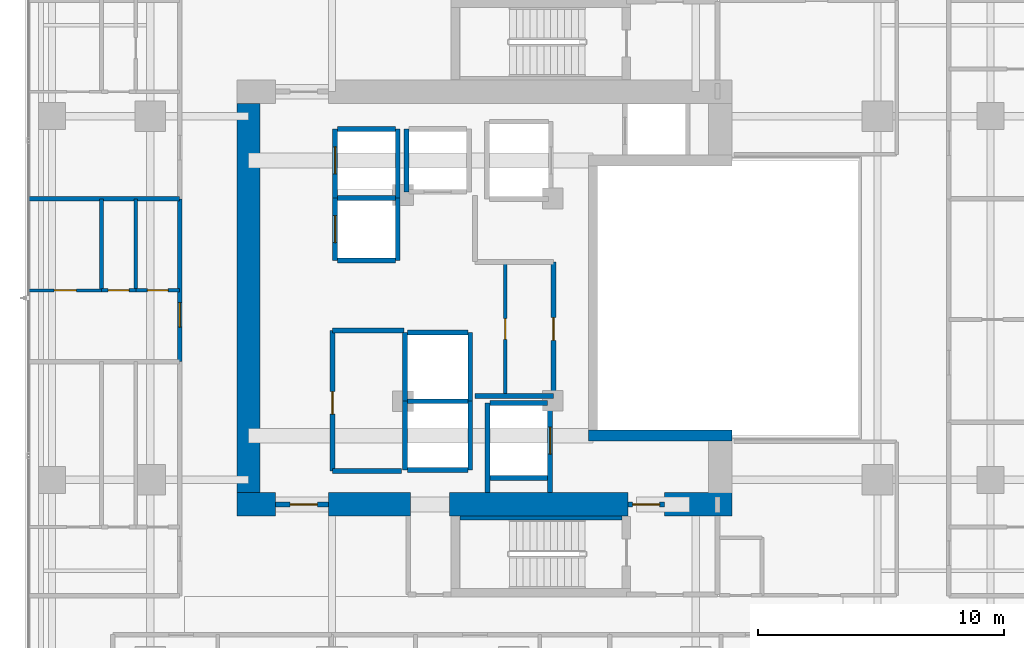
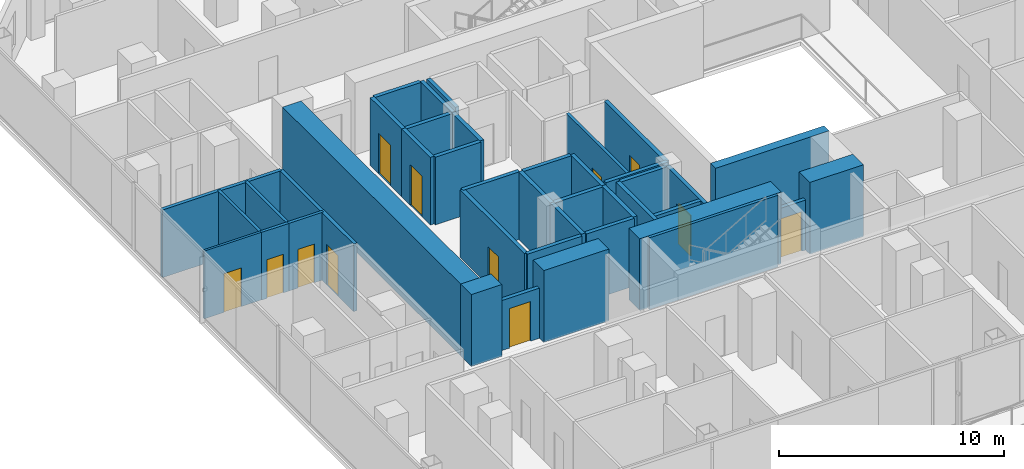
# One storey, part 19 of 29: 41 walls, 12 doors, 12 openings.
"""IFC4 building model written with IfcOpenShell, lengths in metres."""

from ifc_helpers import new_model, si_unit, direction, frame, frame_2d, origin, place, context, subcontext, project, spatial, rectangle, extrude, material, layer, layer_set, type_object, element, fill, save


model = new_model("IFC4")

# Units and contexts
model_context = context("Model", 3, precision=1e-05, world=origin(), true_north=direction((0.0, 1.0)))
body_context = subcontext(model_context, "Body", "Model", "MODEL_VIEW")
ifc_project = project(units=[si_unit("LENGTHUNIT", "METRE"), si_unit("AREAUNIT", "SQUARE_METRE"), si_unit("VOLUMEUNIT", "CUBIC_METRE"), si_unit("PLANEANGLEUNIT", "RADIAN"), si_unit("MASSUNIT", "GRAM", prefix="KILO")], contexts=[model_context])

# Site, building, storey
site_placement = place(None, origin())
site = spatial("IfcSite", under=ifc_project, at=site_placement, CompositionType="ELEMENT")
building_placement = place(site_placement, origin())
building = spatial("IfcBuilding", under=site, at=building_placement, Name="Khorvyn Point Tower", CompositionType="ELEMENT")
storey_placement = place(building_placement, frame((0.0, 0.0, 144.60009765625)))
storey = spatial("IfcBuildingStorey", under=building, at=storey_placement, Name="L36", CompositionType="ELEMENT", Elevation=144.60009765625)

# Wall, opening, door
ifc_material_1 = material(Name="Double acoustic gypsum on twin steel stud", Category="steel")
ifc_layer_1 = layer(ifc_material_1, 0.179931640625)
ifc_layer_set_1 = layer_set([ifc_layer_1], Name="Acoustic Double-Stud Apartment Demising Wall 180")
wall_type_1 = type_object("IfcWallType", Name="Acoustic Double-Stud Apartment Demising Wall 180", PredefinedType="PARTITIONING", material=ifc_layer_set_1)
wall_1_placement = place(storey_placement, frame((-13.60009765625, -2.5859375, 0.0), z_axis=(0.0, 0.0, 1.0), x_axis=(0.0, 1.0, 0.0)))
wall_1 = element("IfcWall", 1, at=wall_1_placement, inside=storey, type_object=wall_type_1, Name="Wall", PredefinedType="PARTITIONING", context=body_context, shape_type="SweptSolid", body=[
    extrude(rectangle(XDim=6.6259765625, YDim=0.179931640625, at=frame_2d((3.31298828125, 0.0))), origin(), (0.0, 0.0, 1.0), 3.679931640625),
])
opening_1_placement = place(wall_1_placement, frame((1.398193359375, 0.0, 0.0)))
opening_1 = element("IfcOpeningElement", 2, at=opening_1_placement, cuts=wall_1, Name="Opening ID-AP60", PredefinedType="OPENING", context=body_context, shape_type="SweptSolid", body=[
    extrude(rectangle(XDim=1.0, YDim=2.199951171875, at=frame_2d((0.5, 1.10009765625))), frame((0.0, 0.099853515625, 0.0), z_axis=(0.0, -1.0, 0.0), x_axis=(1.0, 0.0, 0.0)), (0.0, 0.0, 1.0), 0.199951171875),
])
ifc_material_2 = material(Name="Engineered hardwood fire-rated leaf", Category="wood")
door_type_1 = type_object("IfcDoorType", Name="Acoustic Solid-Core Timber Apartment Entrance Door 1000x2200", OperationType="NOTDEFINED", PredefinedType="DOOR", material=ifc_material_2)
door_1_placement = place(opening_1_placement, origin())
door_1 = element("IfcDoor", 3, at=door_1_placement, inside=storey, type_object=door_type_1, Name="Door", OperationType="SINGLE_SWING_LEFT", OverallHeight=2.199951171875, OverallWidth=1.0, PredefinedType="DOOR", context=body_context, shape_type="SweptSolid", body=[
    extrude(rectangle(XDim=1.0, YDim=2.199951171875, at=frame_2d((0.5, 1.10009765625))), frame((0.0, 0.02490234375, 0.0), z_axis=(0.0, -1.0, 0.0), x_axis=(1.0, 0.0, 0.0)), (0.0, 0.0, 1.0), 0.050048828125),
])
fill(opening_1, door_1)

# Walls
wall_2_placement = place(storey_placement, frame((-19.72998046875, 4.0400390625, 0.0), z_axis=(0.0, 0.0, 1.0), x_axis=(1.0, 0.0, 0.0)))
element("IfcWall", 4, at=wall_2_placement, inside=storey, type_object=wall_type_1, Name="Wall", PredefinedType="PARTITIONING", context=body_context, shape_type="SweptSolid", body=[
    extrude(rectangle(XDim=6.1298828125, YDim=0.179931640625, at=frame_2d((3.06494140625, 0.0))), origin(), (0.0, 0.0, 1.0), 3.679931640625),
])
ifc_material_3 = material(Name="Concrete C40/50", Category="concrete")
ifc_layer_2 = layer(ifc_material_3, 0.449951171875)
ifc_layer_set_2 = layer_set([ifc_layer_2], Name="Concrete C40/50 Core Shear Wall 450")
wall_type_2 = type_object("IfcWallType", Name="Concrete C40/50 Core Shear Wall 450", PredefinedType="SHEAR", material=ifc_layer_set_2)
wall_3_placement = place(storey_placement, frame((3.044921875, -5.60009765625, 0.0), z_axis=(0.0, 0.0, 1.0), x_axis=(1.0, 0.0, 0.0)))
element("IfcWall", 5, at=wall_3_placement, inside=storey, type_object=wall_type_2, Name="Wall", PredefinedType="SHEAR", context=body_context, shape_type="SweptSolid", body=[
    extrude(rectangle(XDim=5.830078125, YDim=0.449951171875, at=frame_2d((2.9150390625, 0.0))), origin(), (0.0, 0.0, 1.0), 3.89990234375),
])

# Wall, opening, door
ifc_layer_3 = layer(ifc_material_3, 0.199951171875)
ifc_layer_set_3 = layer_set([ifc_layer_3], Name="Concrete C40/50 Fire-Lobby Compartment Wall 200")
wall_type_3 = type_object("IfcWallType", Name="Concrete C40/50 Fire-Lobby Compartment Wall 200", PredefinedType="SOLIDWALL", material=ifc_layer_set_3)
wall_4_placement = place(storey_placement, frame((4.64990234375, -8.39990234375, 0.0), z_axis=(0.0, 0.0, 1.0), x_axis=(1.0, 0.0, 0.0)))
wall_4 = element("IfcWall", 6, at=wall_4_placement, inside=storey, type_object=wall_type_3, Name="Wall", PredefinedType="SOLIDWALL", context=body_context, shape_type="SweptSolid", body=[
    extrude(rectangle(XDim=1.47021484375, YDim=0.199951171875, at=frame_2d((0.735107421875, 0.0))), origin(), (0.0, 0.0, 1.0), 2.719970703125),
])
opening_2_placement = place(wall_4_placement, frame((0.18505859375, 0.0, 0.0)))
opening_2 = element("IfcOpeningElement", 7, at=opening_2_placement, cuts=wall_4, Name="Opening ID-FL90", PredefinedType="OPENING", context=body_context, shape_type="SweptSolid", body=[
    extrude(rectangle(XDim=1.10009765625, YDim=2.14990234375, at=frame_2d((0.550048828125, 1.074951171875))), frame((0.0, 0.10986328125, 0.0), z_axis=(0.0, -1.0, 0.0), x_axis=(1.0, 0.0, 0.0)), (0.0, 0.0, 1.0), 0.219970703125),
])
ifc_material_4 = material(Name="Galvanised powder-coated steel", Category="steel")
door_type_2 = type_object("IfcDoorType", Name="Fire-Rated Steel Lobby and Stair Door 1100x2150", OperationType="NOTDEFINED", PredefinedType="DOOR", material=ifc_material_4)
door_2_placement = place(opening_2_placement, origin())
door_2 = element("IfcDoor", 8, at=door_2_placement, inside=storey, type_object=door_type_2, Name="Door", OperationType="SINGLE_SWING_LEFT", OverallHeight=2.14990234375, OverallWidth=1.10009765625, PredefinedType="DOOR", context=body_context, shape_type="SweptSolid", body=[
    extrude(rectangle(XDim=1.10009765625, YDim=2.14990234375, at=frame_2d((0.550048828125, 1.074951171875))), frame((0.0, 0.02490234375, 0.0), z_axis=(0.0, -1.0, 0.0), x_axis=(1.0, 0.0, 0.0)), (0.0, 0.0, 1.0), 0.050048828125),
])
fill(opening_2, door_2)

wall_5_placement = place(storey_placement, frame((-9.699951171875, -8.39990234375, 0.0), z_axis=(0.0, 0.0, 1.0), x_axis=(1.0, 0.0, 0.0)))
wall_5 = element("IfcWall", 9, at=wall_5_placement, inside=storey, type_object=wall_type_3, Name="Wall", PredefinedType="SOLIDWALL", context=body_context, shape_type="SweptSolid", body=[
    extrude(rectangle(XDim=2.14990234375, YDim=0.199951171875, at=frame_2d((1.074951171875, 0.0))), origin(), (0.0, 0.0, 1.0), 2.719970703125),
])
opening_3_placement = place(wall_5_placement, frame((0.597900390625, 0.0, 0.0)))
opening_3 = element("IfcOpeningElement", 10, at=opening_3_placement, cuts=wall_5, Name="Opening ID-FL90", PredefinedType="OPENING", context=body_context, shape_type="SweptSolid", body=[
    extrude(rectangle(XDim=1.10009765625, YDim=2.14990234375, at=frame_2d((0.550048828125, 1.074951171875))), frame((0.0, 0.10986328125, 0.0), z_axis=(0.0, -1.0, 0.0), x_axis=(1.0, 0.0, 0.0)), (0.0, 0.0, 1.0), 0.219970703125),
])
door_3_placement = place(opening_3_placement, origin())
door_3 = element("IfcDoor", 11, at=door_3_placement, inside=storey, type_object=door_type_2, Name="Door", OperationType="SINGLE_SWING_LEFT", OverallHeight=2.14990234375, OverallWidth=1.10009765625, PredefinedType="DOOR", context=body_context, shape_type="SweptSolid", body=[
    extrude(rectangle(XDim=1.10009765625, YDim=2.14990234375, at=frame_2d((0.550048828125, 1.074951171875))), frame((0.0, 0.02490234375, 0.0), z_axis=(0.0, -1.0, 0.0), x_axis=(1.0, 0.0, 0.0)), (0.0, 0.0, 1.0), 0.050048828125),
])
fill(opening_3, door_3)

wall_6_placement = place(storey_placement, frame((1.610107421875, -3.97998046875, 0.0), z_axis=(0.0, 0.0, 1.0), x_axis=(0.0, 1.0, 0.0)))
wall_6 = element("IfcWall", 12, at=wall_6_placement, inside=storey, type_object=wall_type_3, Name="Wall", PredefinedType="SOLIDWALL", context=body_context, shape_type="SweptSolid", body=[
    extrude(rectangle(XDim=5.43994140625, YDim=0.199951171875, at=frame_2d((2.719970703125, 0.0))), origin(), (0.0, 0.0, 1.0), 3.679931640625),
])
opening_4_placement = place(wall_6_placement, frame((2.260009765625, 0.0, 0.0)))
opening_4 = element("IfcOpeningElement", 13, at=opening_4_placement, cuts=wall_6, Name="Opening ID-RS60", PredefinedType="OPENING", context=body_context, shape_type="SweptSolid", body=[
    extrude(rectangle(XDim=0.919921875, YDim=2.10009765625, at=frame_2d((0.4599609375, 1.050048828125))), frame((0.0, 0.10986328125, 0.0), z_axis=(0.0, -1.0, 0.0), x_axis=(1.0, 0.0, 0.0)), (0.0, 0.0, 1.0), 0.219970703125),
])
door_type_3 = type_object("IfcDoorType", Name="Fire-Rated Riser and Store Steel Door 920x2100", OperationType="NOTDEFINED", PredefinedType="DOOR", material=ifc_material_4)
door_4_placement = place(opening_4_placement, origin())
door_4 = element("IfcDoor", 14, at=door_4_placement, inside=storey, type_object=door_type_3, Name="Door", OperationType="SINGLE_SWING_LEFT", OverallHeight=2.10009765625, OverallWidth=0.919921875, PredefinedType="DOOR", context=body_context, shape_type="SweptSolid", body=[
    extrude(rectangle(XDim=0.919921875, YDim=2.10009765625, at=frame_2d((0.4599609375, 1.050048828125))), frame((0.0, 0.02490234375, 0.0), z_axis=(0.0, -1.0, 0.0), x_axis=(1.0, 0.0, 0.0)), (0.0, 0.0, 1.0), 0.050048828125),
])
fill(opening_4, door_4)

wall_7_placement = place(storey_placement, frame((-7.3798828125, -7.0400390625, 0.0), z_axis=(0.0, 0.0, 1.0), x_axis=(0.0, 1.0, 0.0)))
wall_7 = element("IfcWall", 15, at=wall_7_placement, inside=storey, type_object=wall_type_3, Name="Wall", PredefinedType="SOLIDWALL", context=body_context, shape_type="SweptSolid", body=[
    extrude(rectangle(XDim=5.719970703125, YDim=0.199951171875, at=frame_2d((2.85986328125, 0.0))), origin(), (0.0, 0.0, 1.0), 3.679931640625),
])
opening_5_placement = place(wall_7_placement, frame((2.310302734375, 0.0, 0.0)))
opening_5 = element("IfcOpeningElement", 16, at=opening_5_placement, cuts=wall_7, Name="Opening ID-RS60", PredefinedType="OPENING", context=body_context, shape_type="SweptSolid", body=[
    extrude(rectangle(XDim=0.919921875, YDim=2.10009765625, at=frame_2d((0.4599609375, 1.050048828125))), frame((0.0, 0.10986328125, 0.0), z_axis=(0.0, -1.0, 0.0), x_axis=(1.0, 0.0, 0.0)), (0.0, 0.0, 1.0), 0.219970703125),
])
door_5_placement = place(opening_5_placement, origin())
door_5 = element("IfcDoor", 17, at=door_5_placement, inside=storey, type_object=door_type_3, Name="Door", OperationType="SINGLE_SWING_RIGHT", OverallHeight=2.10009765625, OverallWidth=0.919921875, PredefinedType="DOOR", context=body_context, shape_type="SweptSolid", body=[
    extrude(rectangle(XDim=0.919921875, YDim=2.10009765625, at=frame_2d((0.4599609375, 1.050048828125))), frame((0.0, 0.02490234375, 0.0), z_axis=(0.0, -1.0, 0.0), x_axis=(1.0, 0.0, 0.0)), (0.0, 0.0, 1.0), 0.050048828125),
])
fill(opening_5, door_5)

# Walls
wall_8_placement = place(storey_placement, frame((-7.3798828125, -1.320068359375, 0.0), z_axis=(0.0, 0.0, 1.0), x_axis=(1.0, 0.0, 0.0)))
element("IfcWall", 18, at=wall_8_placement, inside=storey, type_object=wall_type_3, Name="Wall", PredefinedType="SOLIDWALL", context=body_context, shape_type="SweptSolid", body=[
    extrude(rectangle(XDim=2.909912109375, YDim=0.199951171875, at=frame_2d((1.455078125, 0.0))), origin(), (0.0, 0.0, 1.0), 3.679931640625),
])
wall_9_placement = place(storey_placement, frame((-1.580078125, -3.97998046875, 0.0), z_axis=(0.0, 0.0, 1.0), x_axis=(1.0, 0.0, 0.0)))
element("IfcWall", 19, at=wall_9_placement, inside=storey, type_object=wall_type_3, Name="Wall", PredefinedType="SOLIDWALL", context=body_context, shape_type="SweptSolid", body=[
    extrude(rectangle(XDim=3.190185546875, YDim=0.199951171875, at=frame_2d((1.59521484375, 0.0))), origin(), (0.0, 0.0, 1.0), 3.679931640625),
])
wall_10_placement = place(storey_placement, frame((-7.3798828125, -7.0400390625, 0.0), z_axis=(0.0, 0.0, 1.0), x_axis=(1.0, 0.0, 0.0)))
element("IfcWall", 20, at=wall_10_placement, inside=storey, type_object=wall_type_3, Name="Wall", PredefinedType="SOLIDWALL", context=body_context, shape_type="SweptSolid", body=[
    extrude(rectangle(XDim=2.7998046875, YDim=0.199951171875, at=frame_2d((1.39990234375, 0.0))), origin(), (0.0, 0.0, 1.0), 3.679931640625),
])
ifc_layer_4 = layer(ifc_material_3, 0.25)
ifc_layer_set_4 = layer_set([ifc_layer_4], Name="Concrete C40/50 Stair Inner Cheek Structural Wall 250")
wall_type_4 = type_object("IfcWallType", Name="Concrete C40/50 Stair Inner Cheek Structural Wall 250", PredefinedType="SHEAR", material=ifc_layer_set_4)
wall_11_placement = place(storey_placement, frame((-2.199951171875, -8.949951171875, 0.0), z_axis=(0.0, 0.0, 1.0), x_axis=(1.0, 0.0, 0.0)))
element("IfcWall", 21, at=wall_11_placement, inside=storey, type_object=wall_type_4, Name="Wall", PredefinedType="SHEAR", context=body_context, shape_type="SweptSolid", body=[
    extrude(rectangle(XDim=6.599853515625, YDim=0.14990234375, at=frame_2d((3.2998046875, 0.0))), origin(), (0.0, 0.0, 1.0), 3.89990234375),
])

# Wall, opening, door
ifc_layer_5 = layer(ifc_material_3, 0.199951171875)
ifc_layer_set_5 = layer_set([ifc_layer_5], Name="Concrete C40/50 Structural Hoistway and Stair Shaft Wall 200")
wall_type_5 = type_object("IfcWallType", Name="Concrete C40/50 Structural Hoistway and Stair Shaft Wall 200", PredefinedType="SHEAR", material=ifc_layer_set_5)
wall_12_placement = place(storey_placement, frame((-7.27490234375, 1.52490234375, 0.0), z_axis=(0.0, 0.0, 1.0), x_axis=(0.0, 1.0, 0.0)))
wall_12 = element("IfcWall", 22, at=wall_12_placement, inside=storey, type_object=wall_type_5, Name="Wall", PredefinedType="SHEAR", context=body_context, shape_type="SweptSolid", body=[
    extrude(rectangle(XDim=2.550048828125, YDim=0.199951171875, at=frame_2d((1.27490234375, 0.0))), origin(), (0.0, 0.0, 1.0), 3.679931640625),
])
opening_6_placement = place(wall_12_placement, frame((0.72509765625, 0.0, 0.0)))
opening_6 = element("IfcOpeningElement", 23, at=opening_6_placement, cuts=wall_12, Name="Opening LD-1122", PredefinedType="OPENING", context=body_context, shape_type="SweptSolid", body=[
    extrude(rectangle(XDim=1.10009765625, YDim=2.199951171875, at=frame_2d((0.550048828125, 1.10009765625))), frame((0.0, 0.10986328125, 0.0), z_axis=(0.0, -1.0, 0.0), x_axis=(1.0, 0.0, 0.0)), (0.0, 0.0, 1.0), 0.219970703125),
])
ifc_material_5 = material(Name="Stainless steel 1.4301", Category="steel")
door_type_4 = type_object("IfcDoorType", Name="Stainless Steel Automatic Sliding Lift Landing Door 1100x2200", OperationType="SLIDING_TO_LEFT", PredefinedType="DOOR", material=ifc_material_5)
door_6_placement = place(opening_6_placement, origin())
door_6 = element("IfcDoor", 24, at=door_6_placement, inside=storey, type_object=door_type_4, Name="L36 RM-01 Sliding Lift Landing Door", OperationType="SLIDING_TO_LEFT", OverallHeight=2.199951171875, OverallWidth=1.10009765625, PredefinedType="DOOR", context=body_context, shape_type="SweptSolid", body=[
    extrude(rectangle(XDim=1.10009765625, YDim=2.199951171875, at=frame_2d((0.550048828125, 1.10009765625))), frame((0.0, 0.02490234375, 0.0), z_axis=(0.0, -1.0, 0.0), x_axis=(1.0, 0.0, 0.0)), (0.0, 0.0, 1.0), 0.050048828125),
])
fill(opening_6, door_6)

# Walls
wall_13_placement = place(storey_placement, frame((-4.72509765625, 1.52490234375, 0.0), z_axis=(0.0, 0.0, 1.0), x_axis=(0.0, 1.0, 0.0)))
element("IfcWall", 25, at=wall_13_placement, inside=storey, type_object=wall_type_5, Name="Wall", PredefinedType="SHEAR", context=body_context, shape_type="SweptSolid", body=[
    extrude(rectangle(XDim=2.550048828125, YDim=0.199951171875, at=frame_2d((1.27490234375, 0.0))), origin(), (0.0, 0.0, 1.0), 3.679931640625),
])
for number, where, z_axis, x_axis, name in (
    (26, (-7.175048828125, 1.52490234375, 0.0), (0.0, 0.0, 1.0), (1.0, 0.0, 0.0), "Wall"),
    (27, (-7.175048828125, 4.074951171875, 0.0), (0.0, 0.0, 1.0), (1.0, 0.0, 0.0), "Wall"),
):
    element("IfcWall", number, at=place(storey_placement, frame(where, z_axis=z_axis, x_axis=x_axis)), inside=storey, type_object=wall_type_5, Name=name, PredefinedType="SHEAR", context=body_context, shape_type="SweptSolid", body=[
        extrude(rectangle(XDim=2.35009765625, YDim=0.199951171875, at=frame_2d((1.175048828125, 0.0))), origin(), (0.0, 0.0, 1.0), 3.679931640625),
    ])

# Wall, opening, door
wall_14_placement = place(storey_placement, frame((-7.27490234375, 4.074951171875, 0.0), z_axis=(0.0, 0.0, 1.0), x_axis=(0.0, 1.0, 0.0)))
wall_14 = element("IfcWall", 28, at=wall_14_placement, inside=storey, type_object=wall_type_5, Name="Wall", PredefinedType="SHEAR", context=body_context, shape_type="SweptSolid", body=[
    extrude(rectangle(XDim=2.800048828125, YDim=0.199951171875, at=frame_2d((1.39990234375, 0.0))), origin(), (0.0, 0.0, 1.0), 3.679931640625),
])
opening_7_placement = place(wall_14_placement, frame((0.97509765625, 0.0, 0.0)))
opening_7 = element("IfcOpeningElement", 29, at=opening_7_placement, cuts=wall_14, Name="Opening LD-1122", PredefinedType="OPENING", context=body_context, shape_type="SweptSolid", body=[
    extrude(rectangle(XDim=1.10009765625, YDim=2.199951171875, at=frame_2d((0.550048828125, 1.10009765625))), frame((0.0, 0.10986328125, 0.0), z_axis=(0.0, -1.0, 0.0), x_axis=(1.0, 0.0, 0.0)), (0.0, 0.0, 1.0), 0.219970703125),
])
door_7_placement = place(opening_7_placement, origin())
door_7 = element("IfcDoor", 30, at=door_7_placement, inside=storey, type_object=door_type_4, Name="L36 RM-02 Sliding Lift Landing Door", OperationType="SLIDING_TO_LEFT", OverallHeight=2.199951171875, OverallWidth=1.10009765625, PredefinedType="DOOR", context=body_context, shape_type="SweptSolid", body=[
    extrude(rectangle(XDim=1.10009765625, YDim=2.199951171875, at=frame_2d((0.550048828125, 1.10009765625))), frame((0.0, 0.02490234375, 0.0), z_axis=(0.0, -1.0, 0.0), x_axis=(1.0, 0.0, 0.0)), (0.0, 0.0, 1.0), 0.050048828125),
])
fill(opening_7, door_7)

# Walls
wall_15_placement = place(storey_placement, frame((-4.72509765625, 4.074951171875, 0.0), z_axis=(0.0, 0.0, 1.0), x_axis=(0.0, 1.0, 0.0)))
element("IfcWall", 31, at=wall_15_placement, inside=storey, type_object=wall_type_5, Name="Wall", PredefinedType="SHEAR", context=body_context, shape_type="SweptSolid", body=[
    extrude(rectangle(XDim=2.800048828125, YDim=0.199951171875, at=frame_2d((1.39990234375, 0.0))), origin(), (0.0, 0.0, 1.0), 3.679931640625),
])
wall_16_placement = place(storey_placement, frame((-7.175048828125, 6.875, 0.0), z_axis=(0.0, 0.0, 1.0), x_axis=(1.0, 0.0, 0.0)))
element("IfcWall", 32, at=wall_16_placement, inside=storey, type_object=wall_type_5, Name="Wall", PredefinedType="SHEAR", context=body_context, shape_type="SweptSolid", body=[
    extrude(rectangle(XDim=2.35009765625, YDim=0.199951171875, at=frame_2d((1.175048828125, 0.0))), origin(), (0.0, 0.0, 1.0), 3.679931640625),
])
wall_17_placement = place(storey_placement, frame((-4.375, 4.324951171875, 0.0), z_axis=(0.0, 0.0, 1.0), x_axis=(0.0, 1.0, 0.0)))
element("IfcWall", 33, at=wall_17_placement, inside=storey, type_object=wall_type_5, Name="Wall", PredefinedType="SHEAR", context=body_context, shape_type="SweptSolid", body=[
    extrude(rectangle(XDim=2.550048828125, YDim=0.199951171875, at=frame_2d((1.27490234375, 0.0))), origin(), (0.0, 0.0, 1.0), 3.679931640625),
])
for number, where, z_axis, x_axis, name in (
    (34, (-4.425048828125, -7.0, 0.0), (0.0, 0.0, 1.0), (0.0, 1.0, 0.0), "Wall"),
    (35, (-1.77490234375, -7.0, 0.0), (0.0, 0.0, 1.0), (0.0, 1.0, 0.0), "Wall"),
):
    element("IfcWall", number, at=place(storey_placement, frame(where, z_axis=z_axis, x_axis=x_axis)), inside=storey, type_object=wall_type_5, Name=name, PredefinedType="SHEAR", context=body_context, shape_type="SweptSolid", body=[
        extrude(rectangle(XDim=2.800048828125, YDim=0.199951171875, at=frame_2d((1.39990234375, 0.0))), origin(), (0.0, 0.0, 1.0), 3.679931640625),
    ])
for number, where, z_axis, x_axis, name in (
    (36, (-4.324951171875, -7.0, 0.0), (0.0, 0.0, 1.0), (1.0, 0.0, 0.0), "Wall"),
    (37, (-4.324951171875, -4.199951171875, 0.0), (0.0, 0.0, 1.0), (1.0, 0.0, 0.0), "Wall"),
):
    element("IfcWall", number, at=place(storey_placement, frame(where, z_axis=z_axis, x_axis=x_axis)), inside=storey, type_object=wall_type_5, Name=name, PredefinedType="SHEAR", context=body_context, shape_type="SweptSolid", body=[
        extrude(rectangle(XDim=2.449951171875, YDim=0.199951171875, at=frame_2d((1.22509765625, 0.0))), origin(), (0.0, 0.0, 1.0), 3.679931640625),
    ])
for number, where, z_axis, x_axis, name in (
    (38, (-4.425048828125, -4.199951171875, 0.0), (0.0, 0.0, 1.0), (0.0, 1.0, 0.0), "Wall"),
    (39, (-1.77490234375, -4.199951171875, 0.0), (0.0, 0.0, 1.0), (0.0, 1.0, 0.0), "Wall"),
):
    element("IfcWall", number, at=place(storey_placement, frame(where, z_axis=z_axis, x_axis=x_axis)), inside=storey, type_object=wall_type_5, Name=name, PredefinedType="SHEAR", context=body_context, shape_type="SweptSolid", body=[
        extrude(rectangle(XDim=2.800048828125, YDim=0.199951171875, at=frame_2d((1.39990234375, 0.0))), origin(), (0.0, 0.0, 1.0), 3.679931640625),
    ])
wall_18_placement = place(storey_placement, frame((-4.324951171875, -1.39990234375, 0.0), z_axis=(0.0, 0.0, 1.0), x_axis=(1.0, 0.0, 0.0)))
element("IfcWall", 40, at=wall_18_placement, inside=storey, type_object=wall_type_5, Name="Wall", PredefinedType="SHEAR", context=body_context, shape_type="SweptSolid", body=[
    extrude(rectangle(XDim=2.449951171875, YDim=0.199951171875, at=frame_2d((1.22509765625, 0.0))), origin(), (0.0, 0.0, 1.0), 3.679931640625),
])
wall_19_placement = place(storey_placement, frame((-1.074951171875, -7.925048828125, 0.0), z_axis=(0.0, 0.0, 1.0), x_axis=(0.0, 1.0, 0.0)))
element("IfcWall", 41, at=wall_19_placement, inside=storey, type_object=wall_type_5, Name="Wall", PredefinedType="SHEAR", context=body_context, shape_type="SweptSolid", body=[
    extrude(rectangle(XDim=3.650146484375, YDim=0.199951171875, at=frame_2d((1.8251953125, 0.0))), origin(), (0.0, 0.0, 1.0), 3.679931640625),
])

# Wall, opening, door
wall_20_placement = place(storey_placement, frame((1.47509765625, -7.925048828125, 0.0), z_axis=(0.0, 0.0, 1.0), x_axis=(0.0, 1.0, 0.0)))
wall_20 = element("IfcWall", 42, at=wall_20_placement, inside=storey, type_object=wall_type_5, Name="Wall", PredefinedType="SHEAR", context=body_context, shape_type="SweptSolid", body=[
    extrude(rectangle(XDim=3.650146484375, YDim=0.199951171875, at=frame_2d((1.8251953125, 0.0))), origin(), (0.0, 0.0, 1.0), 3.679931640625),
])
opening_8_placement = place(wall_20_placement, frame((1.574951171875, 0.0, 0.0)))
opening_8 = element("IfcOpeningElement", 43, at=opening_8_placement, cuts=wall_20, Name="Opening LD-1122", PredefinedType="OPENING", context=body_context, shape_type="SweptSolid", body=[
    extrude(rectangle(XDim=1.10009765625, YDim=2.199951171875, at=frame_2d((0.550048828125, 1.10009765625))), frame((0.0, 0.10986328125, 0.0), z_axis=(0.0, -1.0, 0.0), x_axis=(1.0, 0.0, 0.0)), (0.0, 0.0, 1.0), 0.219970703125),
])
door_8_placement = place(opening_8_placement, origin())
door_8 = element("IfcDoor", 44, at=door_8_placement, inside=storey, type_object=door_type_4, Name="L36 FF-01 Sliding Lift Landing Door", OperationType="SLIDING_TO_LEFT", OverallHeight=2.199951171875, OverallWidth=1.10009765625, PredefinedType="DOOR", context=body_context, shape_type="SweptSolid", body=[
    extrude(rectangle(XDim=1.10009765625, YDim=2.199951171875, at=frame_2d((0.550048828125, 1.10009765625))), frame((0.0, 0.02490234375, 0.0), z_axis=(0.0, -1.0, 0.0), x_axis=(1.0, 0.0, 0.0)), (0.0, 0.0, 1.0), 0.050048828125),
])
fill(opening_8, door_8)

# Walls
for number, where, z_axis, x_axis, name in (
    (45, (-0.97509765625, -7.324951171875, 0.0), (0.0, 0.0, 1.0), (1.0, 0.0, 0.0), "Wall"),
    (46, (-0.97509765625, -4.27490234375, 0.0), (0.0, 0.0, 1.0), (1.0, 0.0, 0.0), "Wall"),
):
    element("IfcWall", number, at=place(storey_placement, frame(where, z_axis=z_axis, x_axis=x_axis)), inside=storey, type_object=wall_type_5, Name=name, PredefinedType="SHEAR", context=body_context, shape_type="SweptSolid", body=[
        extrude(rectangle(XDim=2.35009765625, YDim=0.199951171875, at=frame_2d((1.175048828125, 0.0))), origin(), (0.0, 0.0, 1.0), 3.679931640625),
    ])
ifc_material_6 = material(Name="Concrete C50/60", Category="concrete")
ifc_layer_6 = layer(ifc_material_6, 0.949951171875)
ifc_layer_set_6 = layer_set([ifc_layer_6], Name="Concrete C50/60 Core Shear Wall 950")
wall_type_6 = type_object("IfcWallType", Name="Concrete C50/60 Core Shear Wall 950", PredefinedType="SHEAR", material=ifc_layer_set_6)
wall_21_placement = place(storey_placement, frame((-11.27490234375, -8.39990234375, 0.0), z_axis=(0.0, 0.0, 1.0), x_axis=(1.0, 0.0, 0.0)))
element("IfcWall", 47, at=wall_21_placement, inside=storey, type_object=wall_type_6, Name="Wall", PredefinedType="SHEAR", context=body_context, shape_type="SweptSolid", body=[
    extrude(rectangle(XDim=1.574951171875, YDim=0.949951171875, at=frame_2d((0.78759765625, 0.0))), origin(), (0.0, 0.0, 1.0), 3.89990234375),
])
wall_22_placement = place(storey_placement, frame((-7.550048828125, -8.39990234375, 0.0), z_axis=(0.0, 0.0, 1.0), x_axis=(1.0, 0.0, 0.0)))
element("IfcWall", 48, at=wall_22_placement, inside=storey, type_object=wall_type_6, Name="Wall", PredefinedType="SHEAR", context=body_context, shape_type="SweptSolid", body=[
    extrude(rectangle(XDim=3.35009765625, YDim=0.949951171875, at=frame_2d((1.675048828125, 0.0))), origin(), (0.0, 0.0, 1.0), 3.89990234375),
])
wall_23_placement = place(storey_placement, frame((-2.6201171875, -8.39990234375, 0.0), z_axis=(0.0, 0.0, 1.0), x_axis=(1.0, 0.0, 0.0)))
element("IfcWall", 49, at=wall_23_placement, inside=storey, type_object=wall_type_6, Name="Wall", PredefinedType="SHEAR", context=body_context, shape_type="SweptSolid", body=[
    extrude(rectangle(XDim=7.27001953125, YDim=0.949951171875, at=frame_2d((3.635009765625, 0.0))), origin(), (0.0, 0.0, 1.0), 3.89990234375),
])
wall_24_placement = place(storey_placement, frame((6.1201171875, -8.39990234375, 0.0), z_axis=(0.0, 0.0, 1.0), x_axis=(1.0, 0.0, 0.0)))
element("IfcWall", 50, at=wall_24_placement, inside=storey, type_object=wall_type_6, Name="Wall", PredefinedType="SHEAR", context=body_context, shape_type="SweptSolid", body=[
    extrude(rectangle(XDim=2.7548828125, YDim=0.949951171875, at=frame_2d((1.37744140625, 0.0))), origin(), (0.0, 0.0, 1.0), 3.89990234375),
])
wall_25_placement = place(storey_placement, frame((-10.800048828125, -7.925048828125, 0.0), z_axis=(0.0, 0.0, 1.0), x_axis=(0.0, 1.0, 0.0)))
element("IfcWall", 51, at=wall_25_placement, inside=storey, type_object=wall_type_6, Name="Wall", PredefinedType="SHEAR", context=body_context, shape_type="SweptSolid", body=[
    extrude(rectangle(XDim=15.85009765625, YDim=0.949951171875, at=frame_2d((7.925048828125, 0.0))), origin(), (0.0, 0.0, 1.0), 3.89990234375),
])

# Wall, opening, door
ifc_material_7 = material(Name="Gypsum plasterboard on steel stud", Category="steel")
ifc_layer_7 = layer(ifc_material_7, 0.1201171875)
ifc_layer_set_7 = layer_set([ifc_layer_7], Name="Gypsum Acoustic Stud Room Partition Wall 120")
wall_type_7 = type_object("IfcWallType", Name="Gypsum Acoustic Stud Room Partition Wall 120", PredefinedType="PARTITIONING", material=ifc_layer_set_7)
wall_26_placement = place(storey_placement, frame((-19.72998046875, 0.31396484375, 0.0), z_axis=(0.0, 0.0, 1.0), x_axis=(1.0, 0.0, 0.0)))
wall_26 = element("IfcWall", 52, at=wall_26_placement, inside=storey, type_object=wall_type_7, Name="Wall", PredefinedType="PARTITIONING", context=body_context, shape_type="SweptSolid", body=[
    extrude(rectangle(XDim=2.946044921875, YDim=0.1201171875, at=frame_2d((1.47314453125, 0.0))), origin(), (0.0, 0.0, 1.0), 3.679931640625),
])
opening_9_placement = place(wall_26_placement, frame((1.02294921875, 0.0, 0.0)))
opening_9 = element("IfcOpeningElement", 53, at=opening_9_placement, cuts=wall_26, Name="Opening ID-RM90", PredefinedType="OPENING", context=body_context, shape_type="SweptSolid", body=[
    extrude(rectangle(XDim=0.89990234375, YDim=2.10009765625, at=frame_2d((0.449951171875, 1.050048828125))), frame((0.0, 0.070068359375, 0.0), z_axis=(0.0, -1.0, 0.0), x_axis=(1.0, 0.0, 0.0)), (0.0, 0.0, 1.0), 0.14013671875),
])
ifc_material_8 = material(Name="Engineered oak veneer timber", Category="wood")
door_type_5 = type_object("IfcDoorType", Name="Flush Engineered Timber Room Door 900x2100", OperationType="NOTDEFINED", PredefinedType="DOOR", material=ifc_material_8)
door_9_placement = place(opening_9_placement, origin())
door_9 = element("IfcDoor", 54, at=door_9_placement, inside=storey, type_object=door_type_5, Name="Door", OperationType="SINGLE_SWING_RIGHT", OverallHeight=2.10009765625, OverallWidth=0.89990234375, PredefinedType="DOOR", context=body_context, shape_type="SweptSolid", body=[
    extrude(rectangle(XDim=0.89990234375, YDim=2.10009765625, at=frame_2d((0.449951171875, 1.050048828125))), frame((0.0, 0.02490234375, 0.0), z_axis=(0.0, -1.0, 0.0), x_axis=(1.0, 0.0, 0.0)), (0.0, 0.0, 1.0), 0.050048828125),
])
fill(opening_9, door_9)

ifc_material_9 = material(Name="Moisture-resistant gypsum and cement board", Category="gypsum")
ifc_layer_8 = layer(ifc_material_9, 0.14990234375)
ifc_layer_set_8 = layer_set([ifc_layer_8], Name="Moisture-Resistant Wet-Room Partition Wall 150")
wall_type_8 = type_object("IfcWallType", Name="Moisture-Resistant Wet-Room Partition Wall 150", PredefinedType="PARTITIONING", material=ifc_layer_set_8)
wall_27_placement = place(storey_placement, frame((-0.35009765625, -3.97998046875, 0.0), z_axis=(0.0, 0.0, 1.0), x_axis=(0.0, 1.0, 0.0)))
wall_27 = element("IfcWall", 55, at=wall_27_placement, inside=storey, type_object=wall_type_8, Name="Wall", PredefinedType="PARTITIONING", context=body_context, shape_type="SweptSolid", body=[
    extrude(rectangle(XDim=5.43994140625, YDim=0.14990234375, at=frame_2d((2.719970703125, 0.0))), origin(), (0.0, 0.0, 1.0), 3.679931640625),
])
opening_10_placement = place(wall_27_placement, frame((2.294921875, 0.0, 0.0)))
opening_10 = element("IfcOpeningElement", 56, at=opening_10_placement, cuts=wall_27, Name="Opening ID-WC85", PredefinedType="OPENING", context=body_context, shape_type="SweptSolid", body=[
    extrude(rectangle(XDim=0.85009765625, YDim=2.10009765625, at=frame_2d((0.425048828125, 1.050048828125))), frame((0.0, 0.0849609375, 0.0), z_axis=(0.0, -1.0, 0.0), x_axis=(1.0, 0.0, 0.0)), (0.0, 0.0, 1.0), 0.169921875),
])
ifc_material_10 = material(Name="High-pressure laminate on moisture-resistant core", Category="wood")
door_type_6 = type_object("IfcDoorType", Name="Moisture-Resistant Accessible Washroom Door 850x2100", OperationType="NOTDEFINED", PredefinedType="DOOR", material=ifc_material_10)
door_10_placement = place(opening_10_placement, origin())
door_10 = element("IfcDoor", 57, at=door_10_placement, inside=storey, type_object=door_type_6, Name="Door", OperationType="SINGLE_SWING_RIGHT", OverallHeight=2.10009765625, OverallWidth=0.85009765625, PredefinedType="DOOR", context=body_context, shape_type="SweptSolid", body=[
    extrude(rectangle(XDim=0.85009765625, YDim=2.10009765625, at=frame_2d((0.425048828125, 1.050048828125))), frame((0.0, 0.02490234375, 0.0), z_axis=(0.0, -1.0, 0.0), x_axis=(1.0, 0.0, 0.0)), (0.0, 0.0, 1.0), 0.050048828125),
])
fill(opening_10, door_10)

wall_28_placement = place(storey_placement, frame((-16.783935546875, 0.31396484375, 0.0), z_axis=(0.0, 0.0, 1.0), x_axis=(1.0, 0.0, 0.0)))
wall_28 = element("IfcWall", 58, at=wall_28_placement, inside=storey, type_object=wall_type_8, Name="Wall", PredefinedType="PARTITIONING", context=body_context, shape_type="SweptSolid", body=[
    extrude(rectangle(XDim=1.39990234375, YDim=0.14990234375, at=frame_2d((0.699951171875, 0.0))), origin(), (0.0, 0.0, 1.0), 3.679931640625),
])
opening_11_placement = place(wall_28_placement, frame((0.27490234375, 0.0, 0.0)))
opening_11 = element("IfcOpeningElement", 59, at=opening_11_placement, cuts=wall_28, Name="Opening ID-WC85", PredefinedType="OPENING", context=body_context, shape_type="SweptSolid", body=[
    extrude(rectangle(XDim=0.85009765625, YDim=2.10009765625, at=frame_2d((0.425048828125, 1.050048828125))), frame((0.0, 0.0849609375, 0.0), z_axis=(0.0, -1.0, 0.0), x_axis=(1.0, 0.0, 0.0)), (0.0, 0.0, 1.0), 0.169921875),
])
door_11_placement = place(opening_11_placement, origin())
door_11 = element("IfcDoor", 60, at=door_11_placement, inside=storey, type_object=door_type_6, Name="Door", OperationType="SINGLE_SWING_RIGHT", OverallHeight=2.10009765625, OverallWidth=0.85009765625, PredefinedType="DOOR", context=body_context, shape_type="SweptSolid", body=[
    extrude(rectangle(XDim=0.85009765625, YDim=2.10009765625, at=frame_2d((0.425048828125, 1.050048828125))), frame((0.0, 0.02490234375, 0.0), z_axis=(0.0, -1.0, 0.0), x_axis=(1.0, 0.0, 0.0)), (0.0, 0.0, 1.0), 0.050048828125),
])
fill(opening_11, door_11)

wall_29_placement = place(storey_placement, frame((-15.384033203125, 0.31396484375, 0.0), z_axis=(0.0, 0.0, 1.0), x_axis=(1.0, 0.0, 0.0)))
wall_29 = element("IfcWall", 61, at=wall_29_placement, inside=storey, type_object=wall_type_8, Name="Wall", PredefinedType="PARTITIONING", context=body_context, shape_type="SweptSolid", body=[
    extrude(rectangle(XDim=1.783935546875, YDim=0.14990234375, at=frame_2d((0.89208984375, 0.0))), origin(), (0.0, 0.0, 1.0), 3.679931640625),
])
opening_12_placement = place(wall_29_placement, frame((0.467041015625, 0.0, 0.0)))
opening_12 = element("IfcOpeningElement", 62, at=opening_12_placement, cuts=wall_29, Name="Opening ID-WC85", PredefinedType="OPENING", context=body_context, shape_type="SweptSolid", body=[
    extrude(rectangle(XDim=0.85009765625, YDim=2.10009765625, at=frame_2d((0.425048828125, 1.050048828125))), frame((0.0, 0.0849609375, 0.0), z_axis=(0.0, -1.0, 0.0), x_axis=(1.0, 0.0, 0.0)), (0.0, 0.0, 1.0), 0.169921875),
])
door_12_placement = place(opening_12_placement, origin())
door_12 = element("IfcDoor", 63, at=door_12_placement, inside=storey, type_object=door_type_6, Name="Door", OperationType="SINGLE_SWING_LEFT", OverallHeight=2.10009765625, OverallWidth=0.85009765625, PredefinedType="DOOR", context=body_context, shape_type="SweptSolid", body=[
    extrude(rectangle(XDim=0.85009765625, YDim=2.10009765625, at=frame_2d((0.425048828125, 1.050048828125))), frame((0.0, 0.02490234375, 0.0), z_axis=(0.0, -1.0, 0.0), x_axis=(1.0, 0.0, 0.0)), (0.0, 0.0, 1.0), 0.050048828125),
])
fill(opening_12, door_12)

# Walls
for number, where, z_axis, x_axis, name in (
    (64, (-15.384033203125, 0.31396484375, 0.0), (0.0, 0.0, 1.0), (0.0, 1.0, 0.0), "Wall"),
    (65, (-16.783935546875, 0.31396484375, 0.0), (0.0, 0.0, 1.0), (0.0, 1.0, 0.0), "Wall"),
):
    element("IfcWall", number, at=place(storey_placement, frame(where, z_axis=z_axis, x_axis=x_axis)), inside=storey, type_object=wall_type_8, Name=name, PredefinedType="PARTITIONING", context=body_context, shape_type="SweptSolid", body=[
        extrude(rectangle(XDim=3.72607421875, YDim=0.14990234375, at=frame_2d((1.863037109375, 0.0))), origin(), (0.0, 0.0, 1.0), 3.679931640625),
    ])

save(model, "model.ifc")
